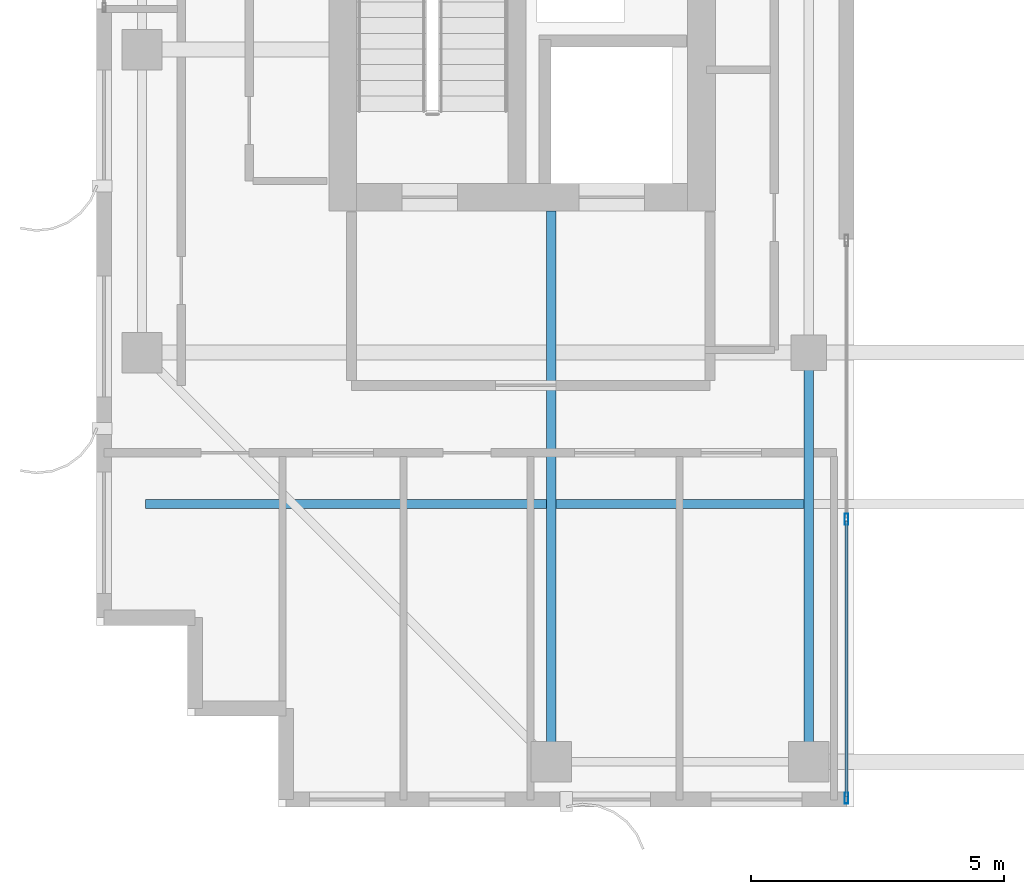
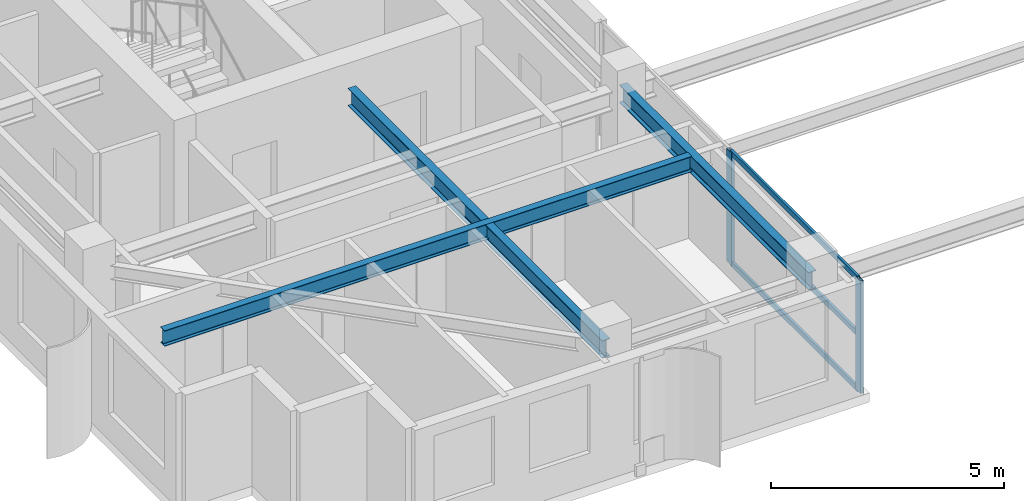
# One storey, part 2 of 25: 5 members, 3 beams, 1 element without a shape of its own.
"""IFC4 building model written with IfcOpenShell, lengths in metres."""

from ifc_helpers import new_model, si_unit, direction, frame, origin, origin_2d, place, context, subcontext, project, spatial, hollow_rectangle, i_section, extrude, source, transform, mapped, material, layer, layer_set, material_profile, profile_set, type_object, element, aggregate, save


model = new_model("IFC4")

# Units and contexts
model_context = context("Model", 3, precision=1e-05, world=origin(), true_north=direction((0.0, 1.0)))
body_context = subcontext(model_context, "Body", "Model", "MODEL_VIEW")
ifc_project = project(units=[si_unit("LENGTHUNIT", "METRE"), si_unit("AREAUNIT", "SQUARE_METRE"), si_unit("VOLUMEUNIT", "CUBIC_METRE"), si_unit("PLANEANGLEUNIT", "RADIAN"), si_unit("MASSUNIT", "GRAM", prefix="KILO")], contexts=[model_context])

# Site, building, storey
site_placement = place(None, origin())
site = spatial("IfcSite", under=ifc_project, at=site_placement, CompositionType="ELEMENT")
building_placement = place(site_placement, origin())
building = spatial("IfcBuilding", under=site, at=building_placement, Name="Khoralis Quay Care Tower", CompositionType="ELEMENT")
storey_placement = place(building_placement, frame((0.0, 0.0, 263.699951171875)))
storey = spatial("IfcBuildingStorey", under=building, at=storey_placement, Name="L69", CompositionType="ELEMENT", Elevation=263.699951171875)

# Beams
ifc_material_1 = material(Name="Steel S355", Category="steel")
ifc_material_profile_1 = material_profile(ifc_material_1, i_section(OverallWidth=0.19189453125, OverallDepth=0.462890625, WebThickness=0.010498046875, FlangeThickness=0.017578125, FilletRadius=0.014892578125, at=origin_2d()), Name="Steel S355")
ifc_profile_set_1 = profile_set([ifc_material_profile_1], Name="Steel S355")
beam_type_1 = type_object("IfcBeamType", Name="BM-W460X89", PredefinedType="BEAM", material=ifc_profile_set_1)
shared_shape_1 = source(origin(), body_context, "Body", "SweptSolid", [
    extrude(i_section(OverallWidth=0.19189453125, OverallDepth=0.462890625, WebThickness=0.010498046875, FlangeThickness=0.017578125, FilletRadius=0.014892578125, at=origin_2d()), origin(), (0.0, 0.0, 1.0), 10.902099609375),
])
beam_1_placement = place(storey_placement, frame((12.0, 3.89990234375, 2.718505859375), z_axis=(0.0, 1.0, 0.0), x_axis=(-1.0, 0.0, 0.0)))
element("IfcBeam", 1, at=beam_1_placement, inside=storey, type_object=beam_type_1, Name="BM-TGYS-L69-120", PredefinedType="BEAM", context=body_context, shape_type="MappedRepresentation", body=[
    mapped(shared_shape_1, transform((0.0, 0.0, 0.0), scale=1.0)),
])
shared_shape_2 = source(origin(), body_context, "Body", "SweptSolid", [
    extrude(i_section(OverallWidth=0.19189453125, OverallDepth=0.462890625, WebThickness=0.010498046875, FlangeThickness=0.017578125, FilletRadius=0.014892578125, at=origin_2d()), origin(), (0.0, 0.0, 1.0), 8.10009765625),
])
beam_2_placement = place(storey_placement, frame((17.10009765625, 3.89990234375, 2.718505859375), z_axis=(0.0, 1.0, 0.0), x_axis=(-1.0, 0.0, 0.0)))
element("IfcBeam", 2, at=beam_2_placement, inside=storey, type_object=beam_type_1, Name="BM-TGYS-L69-171", PredefinedType="BEAM", context=body_context, shape_type="MappedRepresentation", body=[
    mapped(shared_shape_2, transform((0.0, 0.0, 0.0), scale=1.0)),
])
ifc_material_profile_2 = material_profile(ifc_material_1, i_section(OverallWidth=0.177978515625, OverallDepth=0.406982421875, WebThickness=0.0078125, FlangeThickness=0.0126953125, FilletRadius=0.012939453125, at=origin_2d()), Name="Steel S355")
ifc_profile_set_2 = profile_set([ifc_material_profile_2], Name="Steel S355")
beam_type_2 = type_object("IfcBeamType", Name="BM-W410X60", PredefinedType="JOIST", material=ifc_profile_set_2)
shared_shape_3 = source(origin(), body_context, "Body", "SweptSolid", [
    extrude(i_section(OverallWidth=0.177978515625, OverallDepth=0.406982421875, WebThickness=0.0078125, FlangeThickness=0.0126953125, FilletRadius=0.012939453125, at=origin_2d()), origin(), (0.0, 0.0, 1.0), 13.045166015625),
])
beam_3_placement = place(storey_placement, frame((3.970947265625, 9.0, 2.74658203125), z_axis=(1.0, 0.0, 0.0), x_axis=(0.0, 1.0, 0.0)))
element("IfcBeam", 3, at=beam_3_placement, inside=storey, type_object=beam_type_2, Name="BM-TJS-L69-19", PredefinedType="JOIST", context=body_context, shape_type="MappedRepresentation", body=[
    mapped(shared_shape_3, transform((0.0, 0.0, 0.0), scale=1.0)),
])

# Curtain wall, members
ifc_material_2 = material(Name="Pale anodised aluminium", Category="aluminium")
ifc_layer = layer(ifc_material_2, 0.18994140625)
ifc_layer_set = layer_set([ifc_layer], Name="Pale anodised aluminium")
curtain_wall_type = type_object("IfcCurtainWallType", Name="CW-SYS-PORTAL", PredefinedType="NOTDEFINED", material=ifc_layer_set)
curtain_wall_placement = place(storey_placement, origin())
curtain_wall = element("IfcCurtainWall", 4, at=curtain_wall_placement, inside=storey, type_object=curtain_wall_type, Name="L69 Unitised Curtain Wall CW-VP-L69-P1-S", PredefinedType="NOTDEFINED")
ifc_material_profile_3 = material_profile(ifc_material_2, hollow_rectangle(XDim=0.074951171875, YDim=0.219970703125, WallThickness=0.00390625, at=origin_2d()), Name="Pale anodised aluminium")
ifc_profile_set_3 = profile_set([ifc_material_profile_3], Name="Pale anodised aluminium")
member_type_1 = type_object("IfcMemberType", Name="CW-MUL-220", PredefinedType="MULLION", material=ifc_profile_set_3)
shared_shape_4 = source(origin(), body_context, "Body", "SweptSolid", [
    extrude(hollow_rectangle(XDim=0.074951171875, YDim=0.219970703125, WallThickness=0.00390625, at=origin_2d()), origin(), (0.0, 0.0, 1.0), 2.949951171875),
])
member_1_placement = place(storey_placement, frame((17.85009765625, 3.179931640625, 0.0), z_axis=(0.0, 0.0, 1.0), x_axis=(-1.0, 0.0, 0.0)))
member_1 = element("IfcMember", 5, at=member_1_placement, type_object=member_type_1, Name="CW4 mullion 1", PredefinedType="MULLION", context=body_context, shape_type="MappedRepresentation", body=[
    mapped(shared_shape_4, transform((0.0, 0.0, 0.0), scale=1.0)),
])
member_2_placement = place(storey_placement, frame((17.85009765625, 8.699951171875, 0.0), z_axis=(0.0, 0.0, 1.0), x_axis=(-1.0, 0.0, 0.0)))
member_2 = element("IfcMember", 6, at=member_2_placement, type_object=member_type_1, Name="CW4 mullion 2", PredefinedType="MULLION", context=body_context, shape_type="MappedRepresentation", body=[
    mapped(shared_shape_4, transform((0.0, 0.0, 0.0), scale=1.0)),
])
ifc_material_profile_4 = material_profile(ifc_material_2, hollow_rectangle(XDim=0.06005859375, YDim=0.139892578125, WallThickness=0.00390625, at=origin_2d()), Name="Pale anodised aluminium")
ifc_profile_set_4 = profile_set([ifc_material_profile_4], Name="Pale anodised aluminium")
member_type_2 = type_object("IfcMemberType", Name="CW-TRN-140", PredefinedType="USERDEFINED", material=ifc_profile_set_4)
shared_shape_5 = source(origin(), body_context, "Body", "SweptSolid", [
    extrude(hollow_rectangle(XDim=0.06005859375, YDim=0.139892578125, WallThickness=0.00390625, at=origin_2d()), origin(), (0.0, 0.0, 1.0), 5.4599609375),
])
member_3_placement = place(storey_placement, frame((17.85009765625, 3.2099609375, 0.030029296875), z_axis=(0.0, 1.0, 0.0), x_axis=(-1.0, 0.0, 0.0)))
member_3 = element("IfcMember", 7, at=member_3_placement, type_object=member_type_2, Name="CW4 transom 1.1", ObjectType="TRANSOM", PredefinedType="USERDEFINED", context=body_context, shape_type="MappedRepresentation", body=[
    mapped(shared_shape_5, transform((0.0, 0.0, 0.0), scale=1.0)),
])
member_4_placement = place(storey_placement, frame((17.85009765625, 3.2099609375, 1.47509765625), z_axis=(0.0, 1.0, 0.0), x_axis=(-1.0, 0.0, 0.0)))
member_4 = element("IfcMember", 8, at=member_4_placement, type_object=member_type_2, Name="CW4 transom 1.2", ObjectType="TRANSOM", PredefinedType="USERDEFINED", context=body_context, shape_type="MappedRepresentation", body=[
    mapped(shared_shape_5, transform((0.0, 0.0, 0.0), scale=1.0)),
])
member_5_placement = place(storey_placement, frame((17.85009765625, 3.2099609375, 2.920166015625), z_axis=(0.0, 1.0, 0.0), x_axis=(-1.0, 0.0, 0.0)))
member_5 = element("IfcMember", 9, at=member_5_placement, type_object=member_type_2, Name="CW4 transom 1.3", ObjectType="TRANSOM", PredefinedType="USERDEFINED", context=body_context, shape_type="MappedRepresentation", body=[
    mapped(shared_shape_5, transform((0.0, 0.0, 0.0), scale=1.0)),
])
aggregate(curtain_wall, [member_1, member_2, member_3, member_4, member_5])

save(model, "model.ifc")
